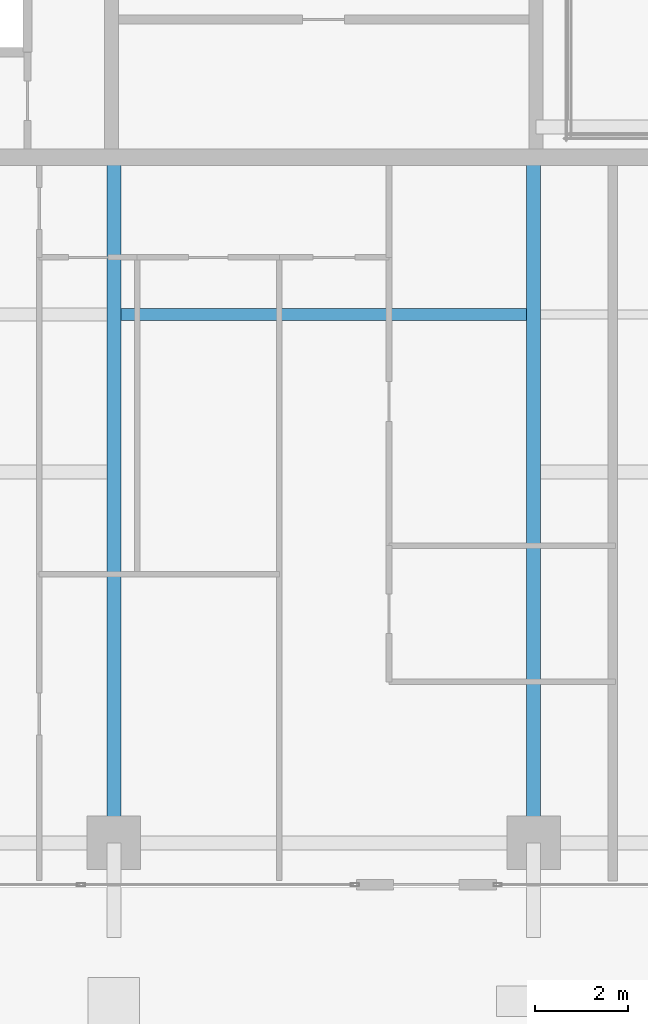
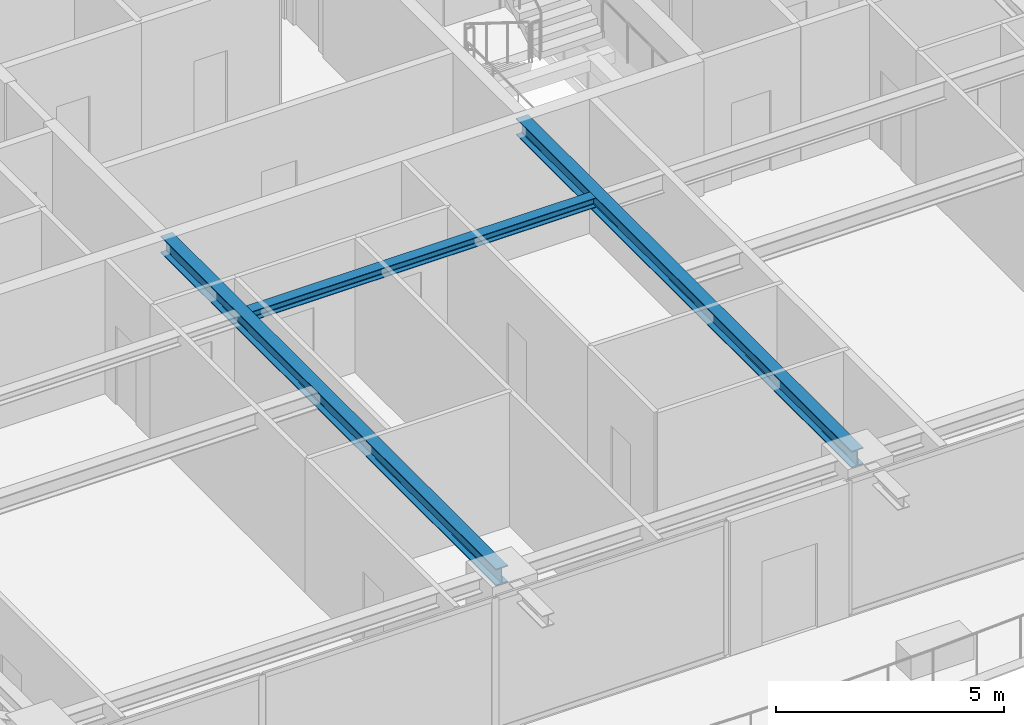
# One storey, part 6 of 38: 3 beams.
"""IFC4 building model written with IfcOpenShell, lengths in metres."""

import ifcopenshell
import ifcopenshell.guid

model = None  # the IFC model being written
_history = None  # IfcOwnerHistory: only IFC2X3 demands one
_inside = {}  # id of a spatial element -> (the spatial element, [elements in it])
_under = {}  # id of a project, library or spatial element -> (it, [spatial elements below it])
_declared = {}  # id of a project -> (the project, [libraries it declares])
_typed = {}  # id of a type object -> (the type object, [elements of that type])
_made_of = {}  # id of a material, layer set ... -> (it, [elements and type objects made of it])


def new_model(schema):
    """Start an empty IFC model of exactly this schema.

    Asked for "IFC4X3", IfcOpenShell would pick the latest addendum, in which some entities
    have other attributes; the version numbers below select the first issue.
    IFC2X3 requires an IfcOwnerHistory on every rooted entity: one is made here for all.
    """
    global model, _history
    if schema == "IFC4X3":
        model = ifcopenshell.file(schema_version=(4, 3, 0, 0))
    else:
        model = ifcopenshell.file(schema=schema)
    _inside.clear()
    _under.clear()
    _declared.clear()
    _typed.clear()
    _made_of.clear()
    _history = None
    if model.schema == "IFC2X3":
        org = make("IfcOrganization", Name="unknown")
        user = make(
            "IfcPersonAndOrganization",
            ThePerson=make("IfcPerson", FamilyName="unknown"),
            TheOrganization=org,
        )
        app = make(
            "IfcApplication",
            ApplicationDeveloper=org,
            Version="unknown",
            ApplicationFullName="unknown",
            ApplicationIdentifier="unknown",
        )
        _history = make(
            "IfcOwnerHistory",
            OwningUser=user,
            OwningApplication=app,
            ChangeAction="ADDED",
            CreationDate=0,
        )
    return model


def make(cls, **values):
    """One entity of the class cls with the attributes given. An attribute that is None is left unset."""
    return model.create_entity(
        cls, **{name: value for name, value in values.items() if value is not None}
    )


def rooted(cls, **values):
    """An entity with a GlobalId (a new one), such as an element, a storey or a relation."""
    return make(cls, GlobalId=ifcopenshell.guid.new(), OwnerHistory=_history, **values)


def si_unit(unit_type, name, prefix=None):
    """IfcSIUnit, for example si_unit("LENGTHUNIT", "METRE", prefix="MILLI")."""
    return make("IfcSIUnit", UnitType=unit_type, Prefix=prefix, Name=name)


def assignment(units):
    """IfcUnitAssignment: the units of a project."""
    return None if units is None else make("IfcUnitAssignment", Units=units)


def point(xyz):
    """IfcCartesianPoint."""
    return None if xyz is None else make("IfcCartesianPoint", Coordinates=xyz)


def direction(xyz):
    """IfcDirection."""
    return None if xyz is None else make("IfcDirection", DirectionRatios=xyz)


def frame(location, z_axis=None, x_axis=None):
    """IfcAxis2Placement3D, a coordinate frame: its origin and axes. An axis left out is left unset."""
    return make(
        "IfcAxis2Placement3D",
        Location=point(location),
        Axis=direction(z_axis),
        RefDirection=direction(x_axis),
    )


def frame_2d(location, x_axis=None):
    """IfcAxis2Placement2D, a coordinate frame in the plane: its origin and x axis."""
    return make(
        "IfcAxis2Placement2D", Location=point(location), RefDirection=direction(x_axis)
    )


def origin():
    """The frame at (0, 0, 0) with its axes left unset."""
    return frame((0.0, 0.0, 0.0))


def origin_2d():
    """The frame at (0, 0) in the plane with its x axis left unset."""
    return frame_2d((0.0, 0.0))


def place(relative_to, where):
    """IfcLocalPlacement: puts the frame where relative to a parent placement (None: the world)."""
    return make(
        "IfcLocalPlacement", PlacementRelTo=relative_to, RelativePlacement=where
    )


def context(
    kind, dimensions, precision=None, world=None, true_north=None, identifier=None
):
    """IfcGeometricRepresentationContext, for example the 3D "Model" context."""
    return make(
        "IfcGeometricRepresentationContext",
        ContextIdentifier=identifier,
        ContextType=kind,
        CoordinateSpaceDimension=dimensions,
        Precision=precision,
        WorldCoordinateSystem=world,
        TrueNorth=true_north,
    )


def subcontext(parent, identifier, kind, view, scale=None):
    """IfcGeometricRepresentationSubContext, for example "Body" below "Model"."""
    return make(
        "IfcGeometricRepresentationSubContext",
        ContextIdentifier=identifier,
        ContextType=kind,
        ParentContext=parent,
        TargetScale=scale,
        TargetView=view,
    )


def project(units=None, contexts=None):
    """IfcProject with its units and contexts."""
    return rooted(
        "IfcProject",
        Name="project",
        RepresentationContexts=contexts,
        UnitsInContext=assignment(units),
    )


def spatial(cls, under=None, at=None, **own):
    """A site, building, storey or space (cls), placed at a placement, below another one or the project."""
    s = rooted(cls, ObjectPlacement=at, **own)
    if under is not None:
        _under.setdefault(under.id(), (under, []))[1].append(s)
    return s


def profile(cls, at=None, kind="AREA", **sizes):
    """A parametric profile (cls). Its sizes go by their IFC names, for example OverallWidth=200.0."""
    return make(cls, ProfileType=kind, Position=at, **sizes)


def i_section(**sizes):
    """IfcIShapeProfileDef."""
    return profile("IfcIShapeProfileDef", **sizes)


def extrude(swept, where, along, depth):
    """IfcExtrudedAreaSolid: the profile swept, set in the frame where, extruded along a direction by depth."""
    return make(
        "IfcExtrudedAreaSolid",
        SweptArea=swept,
        Position=where,
        ExtrudedDirection=direction(along),
        Depth=depth,
    )


def shape(context_of_items, identifier, shape_type, items):
    """IfcShapeRepresentation: the items that make up one representation, for example the "Body"."""
    return make(
        "IfcShapeRepresentation",
        ContextOfItems=context_of_items,
        RepresentationIdentifier=identifier,
        RepresentationType=shape_type,
        Items=items,
    )


def source(mapping_origin, context_of_items, identifier, shape_type, items):
    """IfcRepresentationMap: a shape defined once, which mapped items show again and again."""
    return make(
        "IfcRepresentationMap",
        MappingOrigin=mapping_origin,
        MappedRepresentation=shape(context_of_items, identifier, shape_type, items),
    )


def transform(
    local_origin,
    x_axis=None,
    y_axis=None,
    z_axis=None,
    scale=None,
    scale2=None,
    scale3=None,
    uniform=True,
):
    """IfcCartesianTransformationOperator3D, or its non-uniform kind. x_axis, y_axis, z_axis: its Axis1, 2, 3."""
    if uniform:
        return make(
            "IfcCartesianTransformationOperator3D",
            Axis1=direction(x_axis),
            Axis2=direction(y_axis),
            LocalOrigin=point(local_origin),
            Scale=scale,
            Axis3=direction(z_axis),
        )
    return make(
        "IfcCartesianTransformationOperator3DnonUniform",
        Axis1=direction(x_axis),
        Axis2=direction(y_axis),
        LocalOrigin=point(local_origin),
        Scale=scale,
        Axis3=direction(z_axis),
        Scale2=scale2,
        Scale3=scale3,
    )


def mapped(mapping_source, mapping_target):
    """IfcMappedItem: shows the shape of a source again, moved by a transform."""
    return make(
        "IfcMappedItem", MappingSource=mapping_source, MappingTarget=mapping_target
    )


def material(Name=None, Category=None):
    """IfcMaterial."""
    return make("IfcMaterial", Name=Name, Category=Category)


def material_profile(
    of_material, cross_section, Name=None, Category=None, Priority=None
):
    """IfcMaterialProfile: a cross section and its material."""
    return make(
        "IfcMaterialProfile",
        Name=Name,
        Material=of_material,
        Profile=cross_section,
        Priority=Priority,
        Category=Category,
    )


def profile_set(profiles, Name=None, composite=None):
    """IfcMaterialProfileSet."""
    return make(
        "IfcMaterialProfileSet",
        Name=Name,
        MaterialProfiles=profiles,
        CompositeProfile=composite,
    )


def made_of(thing, what):
    """Note that an element or type object is made of a material, layer set ...; save() writes the relation."""
    if what is not None:
        _made_of.setdefault(what.id(), (what, []))[1].append(thing)
    return thing


def type_object(cls, material=None, **own):
    """A type object (cls), such as IfcWallType, which elements share."""
    return made_of(rooted(cls, **own), material)


def element(
    cls,
    number,
    at=None,
    inside=None,
    cuts=None,
    type_object=None,
    material=None,
    context=None,
    identifier="Body",
    shape_type=None,
    held_by="IfcProductDefinitionShape",
    body=None,
    shapes=None,
    **own,
):
    """One element of the class cls, such as IfcWall. Its Tag is "e" and its number.

    at: its placement. inside: the storey or other place that contains it. cuts: it is an
    opening in that element (IfcRelVoidsElement). A single representation is given by context,
    identifier, shape_type and body (its items); several are given by shapes. held_by: the class
    of the entity that holds the representations. save() writes the other relations.
    """
    e = rooted(cls, Tag="e%d" % number, ObjectPlacement=at, **own)
    if body is not None:
        shapes = [shape(context, identifier, shape_type, body)]
    if shapes is not None:
        e.Representation = make(held_by, Representations=shapes)
    if inside is not None:
        _inside.setdefault(inside.id(), (inside, []))[1].append(e)
    if cuts is not None:
        rooted(
            "IfcRelVoidsElement", RelatingBuildingElement=cuts, RelatedOpeningElement=e
        )
    if type_object is not None:
        _typed.setdefault(type_object.id(), (type_object, []))[1].append(e)
    return made_of(e, material)


def aggregate(whole, parts):
    """IfcRelAggregates: a whole, such as a stair, and the parts it consists of."""
    return rooted("IfcRelAggregates", RelatingObject=whole, RelatedObjects=parts)


def save(model, path):
    """Write the relations noted so far, then the file.

    IfcRelAggregates (storeys below a building ...), IfcRelContainedInSpatialStructure (elements
    in a storey), IfcRelDefinesByType, IfcRelAssociatesMaterial and IfcRelDeclares: one each for
    every whole, place, type object, material and project.
    """
    for whole, parts in _under.values():
        aggregate(whole, parts)
    for where, things in _inside.values():
        rooted(
            "IfcRelContainedInSpatialStructure",
            RelatedElements=things,
            RelatingStructure=where,
        )
    for kind, things in _typed.values():
        rooted("IfcRelDefinesByType", RelatedObjects=things, RelatingType=kind)
    for what, things in _made_of.values():
        rooted("IfcRelAssociatesMaterial", RelatedObjects=things, RelatingMaterial=what)
    for by, libraries in _declared.values():
        rooted("IfcRelDeclares", RelatingContext=by, RelatedDefinitions=libraries)
    model.write(path)


model = new_model("IFC4")

# Units and contexts
model_context = context("Model", 3, precision=1e-05, world=origin(), true_north=direction((0.0, 1.0)))
body_context = subcontext(model_context, "Body", "Model", "MODEL_VIEW")
ifc_project = project(units=[si_unit("LENGTHUNIT", "METRE"), si_unit("AREAUNIT", "SQUARE_METRE"), si_unit("VOLUMEUNIT", "CUBIC_METRE"), si_unit("PLANEANGLEUNIT", "RADIAN"), si_unit("MASSUNIT", "GRAM", prefix="KILO")], contexts=[model_context])

# Site, building, storey
site_placement = place(None, origin())
site = spatial("IfcSite", under=ifc_project, at=site_placement, CompositionType="ELEMENT")
building_placement = place(site_placement, origin())
building = spatial("IfcBuilding", under=site, at=building_placement, Name="Serunith Strait Residences", CompositionType="ELEMENT")
storey_placement = place(building_placement, frame((0.0, 0.0, 245.10009765625)))
storey = spatial("IfcBuildingStorey", under=building, at=storey_placement, Name="L61", CompositionType="ELEMENT", Elevation=245.10009765625)

# Beams
ifc_material = material(Name="Steel S355J2", Category="steel")
ifc_material_profile_1 = material_profile(ifc_material, i_section(OverallWidth=0.260009765625, OverallDepth=0.260009765625, WebThickness=0.010009765625, FlangeThickness=0.017578125, FilletRadius=0.02392578125, at=origin_2d()), Name="HEB 260")
ifc_profile_set_1 = profile_set([ifc_material_profile_1], Name="Steel S355J2")
beam_type_1 = type_object("IfcBeamType", Name="BM-HEB260", PredefinedType="JOIST", material=ifc_profile_set_1)
shared_shape_1 = source(origin(), body_context, "Body", "SweptSolid", [
    extrude(i_section(OverallWidth=0.260009765625, OverallDepth=0.260009765625, WebThickness=0.010009765625, FlangeThickness=0.017578125, FilletRadius=0.02392578125, at=origin_2d()), origin(), (0.0, 0.0, 1.0), 8.699951171875),
])
beam_placement = place(storey_placement, frame((28.050048828125, 13.425048828125, 3.456787109375), z_axis=(1.0, 0.0, 0.0), x_axis=(0.0, 1.0, 0.0)))
element("IfcBeam", 1, at=beam_placement, inside=storey, type_object=beam_type_1, Name="L61 Composite Floor Joist 02", PredefinedType="JOIST", context=body_context, shape_type="MappedRepresentation", body=[
    mapped(shared_shape_1, transform((0.0, 0.0, 0.0), scale=1.0)),
])
ifc_material_profile_2 = material_profile(ifc_material, i_section(OverallWidth=0.300048828125, OverallDepth=0.449951171875, WebThickness=0.013916015625, FlangeThickness=0.02587890625, FilletRadius=0.027099609375, at=origin_2d()), Name="HEB 450")
ifc_profile_set_2 = profile_set([ifc_material_profile_2], Name="Steel S355J2")
beam_type_2 = type_object("IfcBeamType", Name="BM-HEB450", PredefinedType="BEAM", material=ifc_profile_set_2)
shared_shape_2 = source(origin(), body_context, "Body", "SweptSolid", [
    extrude(i_section(OverallWidth=0.300048828125, OverallDepth=0.449951171875, WebThickness=0.013916015625, FlangeThickness=0.02587890625, FilletRadius=0.027099609375, at=origin_2d()), origin(), (0.0, 0.0, 1.0), 14.699951171875),
])
for number, where, z_axis, x_axis, name in (
    (2, (27.89990234375, 16.800048828125, 3.36181640625), (0.0, -1.0, 0.0), (1.0, 0.0, 0.0), "L61 Primary Floor Girder TC-S2"),
    (3, (36.89990234375, 16.800048828125, 3.36181640625), (0.0, -1.0, 0.0), (1.0, 0.0, 0.0), "L61 Primary Floor Girder TC-S3"),
):
    element("IfcBeam", number, at=place(storey_placement, frame(where, z_axis=z_axis, x_axis=x_axis)), inside=storey, type_object=beam_type_2, Name=name, PredefinedType="BEAM", context=body_context, shape_type="MappedRepresentation", body=[
        mapped(shared_shape_2, transform((0.0, 0.0, 0.0), scale=1.0)),
    ])

save(model, "model.ifc")
